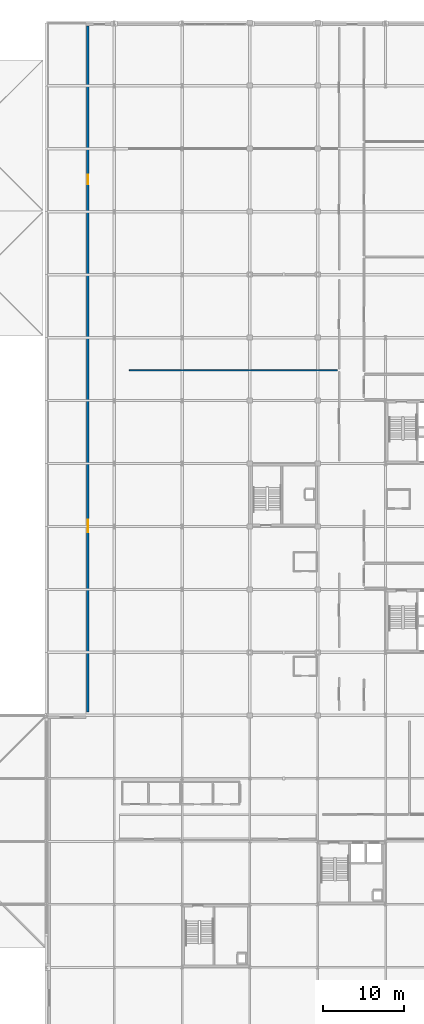
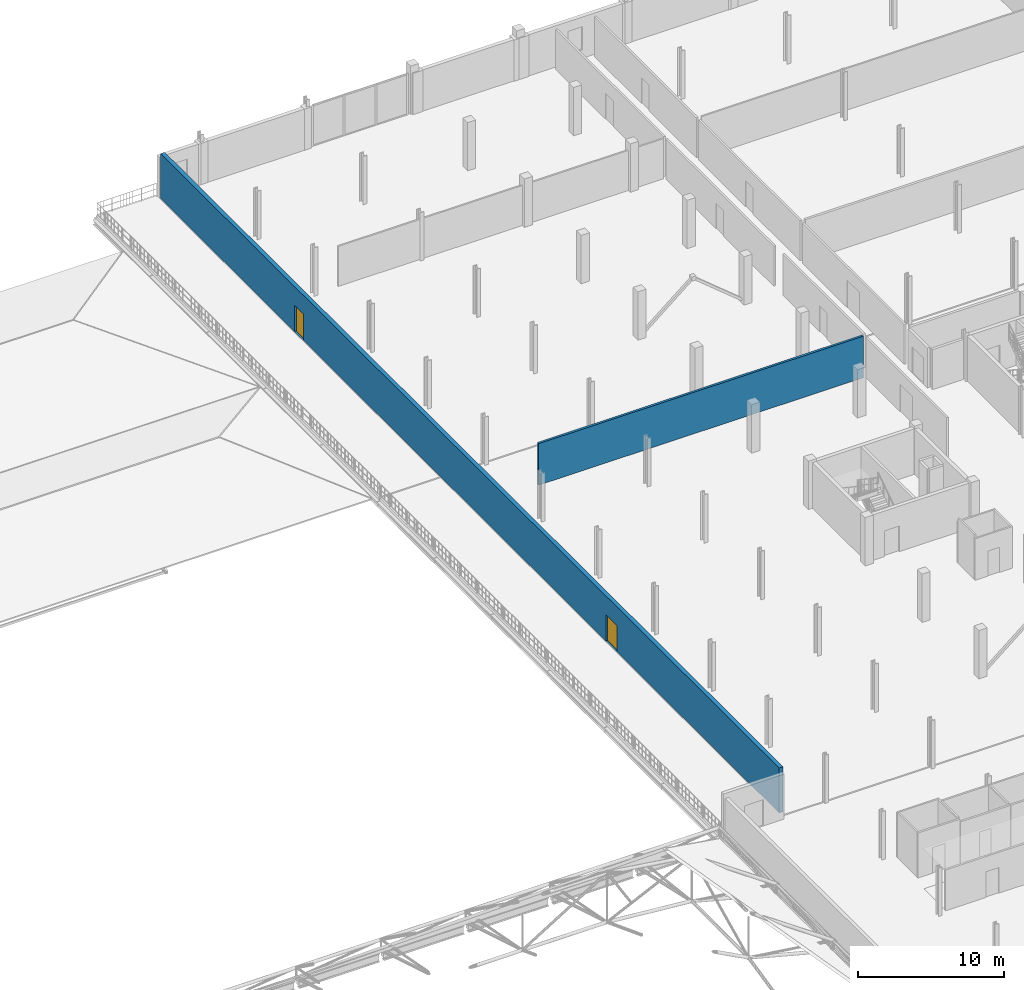
# One storey, part 61 of 77: 2 doors, 2 walls, 2 openings.
"""IFC4 building model written with IfcOpenShell, lengths in metres."""

import ifcopenshell
import ifcopenshell.guid

model = None  # the IFC model being written
_history = None  # IfcOwnerHistory: only IFC2X3 demands one
_inside = {}  # id of a spatial element -> (the spatial element, [elements in it])
_under = {}  # id of a project, library or spatial element -> (it, [spatial elements below it])
_declared = {}  # id of a project -> (the project, [libraries it declares])
_typed = {}  # id of a type object -> (the type object, [elements of that type])
_made_of = {}  # id of a material, layer set ... -> (it, [elements and type objects made of it])


def new_model(schema):
    """Start an empty IFC model of exactly this schema.

    Asked for "IFC4X3", IfcOpenShell would pick the latest addendum, in which some entities
    have other attributes; the version numbers below select the first issue.
    IFC2X3 requires an IfcOwnerHistory on every rooted entity: one is made here for all.
    """
    global model, _history
    if schema == "IFC4X3":
        model = ifcopenshell.file(schema_version=(4, 3, 0, 0))
    else:
        model = ifcopenshell.file(schema=schema)
    _inside.clear()
    _under.clear()
    _declared.clear()
    _typed.clear()
    _made_of.clear()
    _history = None
    if model.schema == "IFC2X3":
        org = make("IfcOrganization", Name="unknown")
        user = make(
            "IfcPersonAndOrganization",
            ThePerson=make("IfcPerson", FamilyName="unknown"),
            TheOrganization=org,
        )
        app = make(
            "IfcApplication",
            ApplicationDeveloper=org,
            Version="unknown",
            ApplicationFullName="unknown",
            ApplicationIdentifier="unknown",
        )
        _history = make(
            "IfcOwnerHistory",
            OwningUser=user,
            OwningApplication=app,
            ChangeAction="ADDED",
            CreationDate=0,
        )
    return model


def make(cls, **values):
    """One entity of the class cls with the attributes given. An attribute that is None is left unset."""
    return model.create_entity(
        cls, **{name: value for name, value in values.items() if value is not None}
    )


def rooted(cls, **values):
    """An entity with a GlobalId (a new one), such as an element, a storey or a relation."""
    return make(cls, GlobalId=ifcopenshell.guid.new(), OwnerHistory=_history, **values)


def si_unit(unit_type, name, prefix=None):
    """IfcSIUnit, for example si_unit("LENGTHUNIT", "METRE", prefix="MILLI")."""
    return make("IfcSIUnit", UnitType=unit_type, Prefix=prefix, Name=name)


def assignment(units):
    """IfcUnitAssignment: the units of a project."""
    return None if units is None else make("IfcUnitAssignment", Units=units)


def point(xyz):
    """IfcCartesianPoint."""
    return None if xyz is None else make("IfcCartesianPoint", Coordinates=xyz)


def direction(xyz):
    """IfcDirection."""
    return None if xyz is None else make("IfcDirection", DirectionRatios=xyz)


def frame(location, z_axis=None, x_axis=None):
    """IfcAxis2Placement3D, a coordinate frame: its origin and axes. An axis left out is left unset."""
    return make(
        "IfcAxis2Placement3D",
        Location=point(location),
        Axis=direction(z_axis),
        RefDirection=direction(x_axis),
    )


def frame_2d(location, x_axis=None):
    """IfcAxis2Placement2D, a coordinate frame in the plane: its origin and x axis."""
    return make(
        "IfcAxis2Placement2D", Location=point(location), RefDirection=direction(x_axis)
    )


def origin():
    """The frame at (0, 0, 0) with its axes left unset."""
    return frame((0.0, 0.0, 0.0))


def place(relative_to, where):
    """IfcLocalPlacement: puts the frame where relative to a parent placement (None: the world)."""
    return make(
        "IfcLocalPlacement", PlacementRelTo=relative_to, RelativePlacement=where
    )


def context(
    kind, dimensions, precision=None, world=None, true_north=None, identifier=None
):
    """IfcGeometricRepresentationContext, for example the 3D "Model" context."""
    return make(
        "IfcGeometricRepresentationContext",
        ContextIdentifier=identifier,
        ContextType=kind,
        CoordinateSpaceDimension=dimensions,
        Precision=precision,
        WorldCoordinateSystem=world,
        TrueNorth=true_north,
    )


def subcontext(parent, identifier, kind, view, scale=None):
    """IfcGeometricRepresentationSubContext, for example "Body" below "Model"."""
    return make(
        "IfcGeometricRepresentationSubContext",
        ContextIdentifier=identifier,
        ContextType=kind,
        ParentContext=parent,
        TargetScale=scale,
        TargetView=view,
    )


def project(units=None, contexts=None):
    """IfcProject with its units and contexts."""
    return rooted(
        "IfcProject",
        Name="project",
        RepresentationContexts=contexts,
        UnitsInContext=assignment(units),
    )


def spatial(cls, under=None, at=None, **own):
    """A site, building, storey or space (cls), placed at a placement, below another one or the project."""
    s = rooted(cls, ObjectPlacement=at, **own)
    if under is not None:
        _under.setdefault(under.id(), (under, []))[1].append(s)
    return s


def profile(cls, at=None, kind="AREA", **sizes):
    """A parametric profile (cls). Its sizes go by their IFC names, for example OverallWidth=200.0."""
    return make(cls, ProfileType=kind, Position=at, **sizes)


def rectangle(**sizes):
    """IfcRectangleProfileDef."""
    return profile("IfcRectangleProfileDef", **sizes)


def extrude(swept, where, along, depth):
    """IfcExtrudedAreaSolid: the profile swept, set in the frame where, extruded along a direction by depth."""
    return make(
        "IfcExtrudedAreaSolid",
        SweptArea=swept,
        Position=where,
        ExtrudedDirection=direction(along),
        Depth=depth,
    )


def shape(context_of_items, identifier, shape_type, items):
    """IfcShapeRepresentation: the items that make up one representation, for example the "Body"."""
    return make(
        "IfcShapeRepresentation",
        ContextOfItems=context_of_items,
        RepresentationIdentifier=identifier,
        RepresentationType=shape_type,
        Items=items,
    )


def material(Name=None, Category=None):
    """IfcMaterial."""
    return make("IfcMaterial", Name=Name, Category=Category)


def layer(
    of_material, thickness, ventilated=None, Name=None, Category=None, Priority=None
):
    """IfcMaterialLayer: one layer of a wall or slab, of a material (None: an air gap)."""
    return make(
        "IfcMaterialLayer",
        Material=of_material,
        LayerThickness=thickness,
        IsVentilated=ventilated,
        Name=Name,
        Category=Category,
        Priority=Priority,
    )


def layer_set(layers, Name=None):
    """IfcMaterialLayerSet."""
    return make("IfcMaterialLayerSet", MaterialLayers=layers, LayerSetName=Name)


def made_of(thing, what):
    """Note that an element or type object is made of a material, layer set ...; save() writes the relation."""
    if what is not None:
        _made_of.setdefault(what.id(), (what, []))[1].append(thing)
    return thing


def type_object(cls, material=None, **own):
    """A type object (cls), such as IfcWallType, which elements share."""
    return made_of(rooted(cls, **own), material)


def element(
    cls,
    number,
    at=None,
    inside=None,
    cuts=None,
    type_object=None,
    material=None,
    context=None,
    identifier="Body",
    shape_type=None,
    held_by="IfcProductDefinitionShape",
    body=None,
    shapes=None,
    **own,
):
    """One element of the class cls, such as IfcWall. Its Tag is "e" and its number.

    at: its placement. inside: the storey or other place that contains it. cuts: it is an
    opening in that element (IfcRelVoidsElement). A single representation is given by context,
    identifier, shape_type and body (its items); several are given by shapes. held_by: the class
    of the entity that holds the representations. save() writes the other relations.
    """
    e = rooted(cls, Tag="e%d" % number, ObjectPlacement=at, **own)
    if body is not None:
        shapes = [shape(context, identifier, shape_type, body)]
    if shapes is not None:
        e.Representation = make(held_by, Representations=shapes)
    if inside is not None:
        _inside.setdefault(inside.id(), (inside, []))[1].append(e)
    if cuts is not None:
        rooted(
            "IfcRelVoidsElement", RelatingBuildingElement=cuts, RelatedOpeningElement=e
        )
    if type_object is not None:
        _typed.setdefault(type_object.id(), (type_object, []))[1].append(e)
    return made_of(e, material)


def fill(opening, filler):
    """IfcRelFillsElement: the door or window that sits in an opening."""
    return rooted(
        "IfcRelFillsElement",
        RelatingOpeningElement=opening,
        RelatedBuildingElement=filler,
    )


def aggregate(whole, parts):
    """IfcRelAggregates: a whole, such as a stair, and the parts it consists of."""
    return rooted("IfcRelAggregates", RelatingObject=whole, RelatedObjects=parts)


def save(model, path):
    """Write the relations noted so far, then the file.

    IfcRelAggregates (storeys below a building ...), IfcRelContainedInSpatialStructure (elements
    in a storey), IfcRelDefinesByType, IfcRelAssociatesMaterial and IfcRelDeclares: one each for
    every whole, place, type object, material and project.
    """
    for whole, parts in _under.values():
        aggregate(whole, parts)
    for where, things in _inside.values():
        rooted(
            "IfcRelContainedInSpatialStructure",
            RelatedElements=things,
            RelatingStructure=where,
        )
    for kind, things in _typed.values():
        rooted("IfcRelDefinesByType", RelatedObjects=things, RelatingType=kind)
    for what, things in _made_of.values():
        rooted("IfcRelAssociatesMaterial", RelatedObjects=things, RelatingMaterial=what)
    for by, libraries in _declared.values():
        rooted("IfcRelDeclares", RelatingContext=by, RelatedDefinitions=libraries)
    model.write(path)


model = new_model("IFC4")

# Units and contexts
model_context = context("Model", 3, precision=1e-05, world=origin(), true_north=direction((0.0, 1.0)))
body_context = subcontext(model_context, "Body", "Model", "MODEL_VIEW")
ifc_project = project(units=[si_unit("LENGTHUNIT", "METRE"), si_unit("AREAUNIT", "SQUARE_METRE"), si_unit("VOLUMEUNIT", "CUBIC_METRE"), si_unit("PLANEANGLEUNIT", "RADIAN"), si_unit("MASSUNIT", "GRAM", prefix="KILO")], contexts=[model_context])

# Site, building, storey
site_placement = place(None, origin())
site = spatial("IfcSite", under=ifc_project, at=site_placement, CompositionType="ELEMENT")
building_placement = place(site_placement, origin())
building = spatial("IfcBuilding", under=site, at=building_placement, Name="Nabrawat Pavilion Hospital", CompositionType="ELEMENT")
storey_placement = place(building_placement, frame((0.0, 0.0, 14.85009765625)))
storey = spatial("IfcBuildingStorey", under=building, at=storey_placement, Name="L03", CompositionType="ELEMENT", Elevation=14.85009765625)

# Wall
ifc_material_1 = material(Name="Acoustic Gypsum on Twin Stud", Category="gypsum")
ifc_layer_1 = layer(ifc_material_1, 0.179931640625, Name="Acoustic Gypsum on Twin Stud")
ifc_layer_set_1 = layer_set([ifc_layer_1], Name="Acoustic Gypsum on Twin Stud")
wall_type_1 = type_object("IfcWallType", Name="Critical Care Acoustic Glazed Partition 180", PredefinedType="PARTITIONING", material=ifc_layer_set_1)
wall_1_placement = place(storey_placement, frame((136.2900390625, 81.75, 0.0), z_axis=(0.0, 0.0, 1.0), x_axis=(1.0, 0.0, 0.0)))
element("IfcWall", 1, at=wall_1_placement, inside=storey, type_object=wall_type_1, Name="L03 Intensive Care Pod Cardiac Step-Down L03-03 Dividing Partition", PredefinedType="PARTITIONING", context=body_context, shape_type="SweptSolid", body=[
    extrude(rectangle(XDim=25.75, YDim=0.179931640625, at=frame_2d((12.875, 0.0))), origin(), (0.0, 0.0, 1.0), 3.47998046875),
])

# Wall, openings, doors
ifc_material_2 = material(Name="Precast concrete C40/50", Category="concrete")
ifc_layer_2 = layer(ifc_material_2, 0.320068359375, Name="Precast concrete C40/50")
ifc_layer_set_2 = layer_set([ifc_layer_2], Name="Precast concrete C40/50")
wall_type_2 = type_object("IfcWallType", Name="Deep-Reveal Precast Facade Wall 320", PredefinedType="SOLIDWALL", material=ifc_layer_set_2)
wall_2_placement = place(storey_placement, frame((131.139892578125, 39.43994140625, 0.0), z_axis=(0.0, 0.0, 1.0), x_axis=(0.0, 1.0, 0.0)))
wall_2 = element("IfcWall", 2, at=wall_2_placement, inside=storey, type_object=wall_type_2, Name="L03 Deep-Reveal Precast Facade Wall 320 329", PredefinedType="SOLIDWALL", context=body_context, shape_type="SweptSolid", body=[
    extrude(rectangle(XDim=84.920166015625, YDim=0.320068359375, at=frame_2d((42.4599609375, 0.0))), origin(), (0.0, 0.0, 1.0), 3.77001953125),
])
opening_1_placement = place(wall_2_placement, frame((22.27001953125, 0.0, 0.0)))
opening_1 = element("IfcOpeningElement", 3, at=opening_1_placement, cuts=wall_2, Name="Opening ED-TER-150", PredefinedType="OPENING", context=body_context, shape_type="SweptSolid", body=[
    extrude(rectangle(XDim=1.5, YDim=2.199951171875, at=frame_2d((0.75, 1.10009765625))), frame((0.0, 0.169921875, 0.0), z_axis=(0.0, -1.0, 0.0), x_axis=(1.0, 0.0, 0.0)), (0.0, 0.0, 1.0), 0.340087890625),
])
opening_2_placement = place(wall_2_placement, frame((65.320068359375, 0.0, 0.0)))
opening_2 = element("IfcOpeningElement", 4, at=opening_2_placement, cuts=wall_2, Name="Opening ED-TER-120", PredefinedType="OPENING", context=body_context, shape_type="SweptSolid", body=[
    extrude(rectangle(XDim=1.199951171875, YDim=2.199951171875, at=frame_2d((0.60009765625, 1.10009765625))), frame((0.0, 0.169921875, 0.0), z_axis=(0.0, -1.0, 0.0), x_axis=(1.0, 0.0, 0.0)), (0.0, 0.0, 1.0), 0.340087890625),
])
ifc_material_3 = material(Name="Powder-Coated Galvanised Steel and Safety Glass", Category="steel")
door_type_1 = type_object("IfcDoorType", Name="Clinical Recovery Terrace Double Door 1500x2200", OperationType="NOTDEFINED", PredefinedType="DOOR", material=ifc_material_3)
door_1_placement = place(opening_1_placement, origin())
door_1 = element("IfcDoor", 5, at=door_1_placement, inside=storey, type_object=door_type_1, Name="L03 Clinical Recovery Terrace Door T_L03_WARD_STEP1_S", OperationType="DOUBLE_DOOR_SINGLE_SWING", OverallHeight=2.199951171875, OverallWidth=1.5, PredefinedType="DOOR", context=body_context, shape_type="SweptSolid", body=[
    extrude(rectangle(XDim=1.5, YDim=2.199951171875, at=frame_2d((0.75, 1.10009765625))), frame((0.0, 0.02490234375, 0.0), z_axis=(0.0, -1.0, 0.0), x_axis=(1.0, 0.0, 0.0)), (0.0, 0.0, 1.0), 0.050048828125),
])
fill(opening_1, door_1)
door_type_2 = type_object("IfcDoorType", Name="Ward Balcony Single Glazed Door 1200x2200", OperationType="NOTDEFINED", PredefinedType="DOOR", material=ifc_material_3)
door_2_placement = place(opening_2_placement, origin())
door_2 = element("IfcDoor", 6, at=door_2_placement, inside=storey, type_object=door_type_2, Name="L03 Clinical Recovery Terrace Door T_L03_WARD_STEP1_N", OperationType="SINGLE_SWING_LEFT", OverallHeight=2.199951171875, OverallWidth=1.199951171875, PredefinedType="DOOR", context=body_context, shape_type="SweptSolid", body=[
    extrude(rectangle(XDim=1.199951171875, YDim=2.199951171875, at=frame_2d((0.60009765625, 1.10009765625))), frame((0.0, 0.02490234375, 0.0), z_axis=(0.0, -1.0, 0.0), x_axis=(1.0, 0.0, 0.0)), (0.0, 0.0, 1.0), 0.050048828125),
])
fill(opening_2, door_2)

save(model, "model.ifc")
